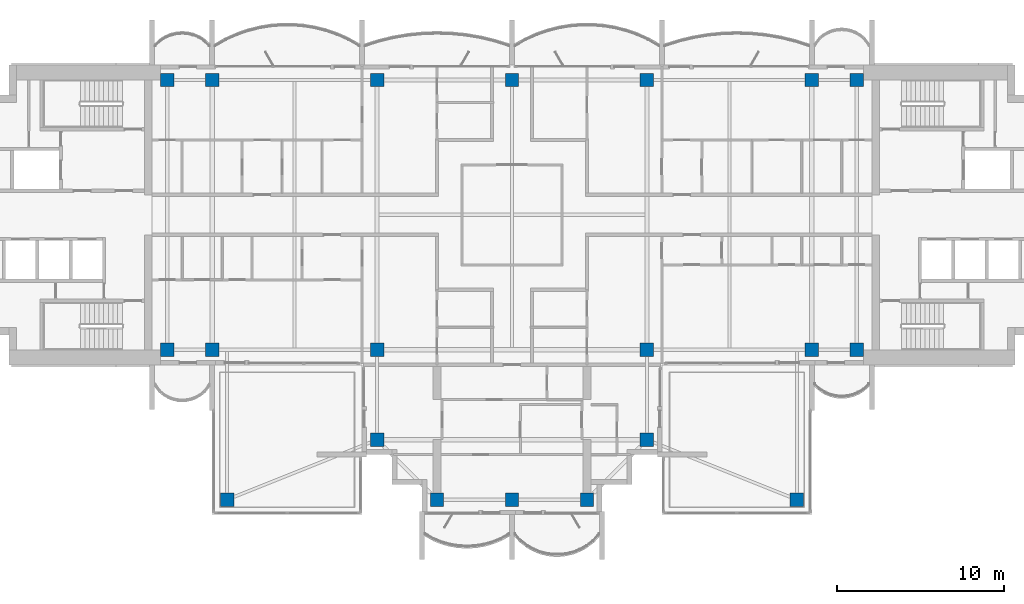
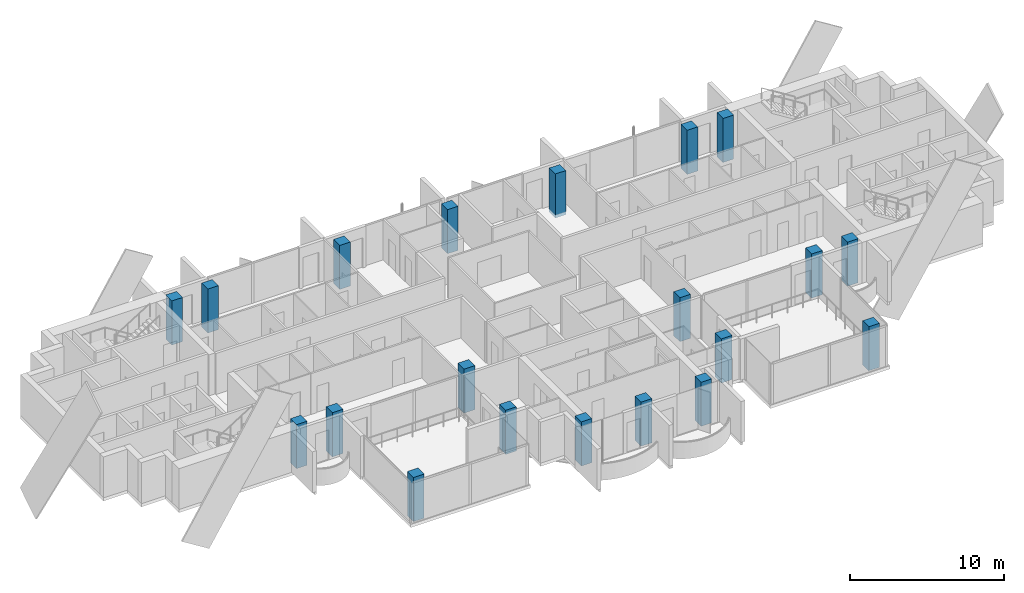
# One storey, part 1 of 16: 20 columns.
"""IFC4 building model written with IfcOpenShell, lengths in metres."""

from ifc_helpers import new_model, si_unit, direction, frame, origin, origin_2d, place, context, subcontext, project, spatial, rectangle, extrude, material, material_profile, profile_set, type_object, element, save


model = new_model("IFC4")

# Units and contexts
model_context = context("Model", 3, precision=1e-05, world=origin(), true_north=direction((0.0, 1.0)))
body_context = subcontext(model_context, "Body", "Model", "MODEL_VIEW")
ifc_project = project(units=[si_unit("LENGTHUNIT", "METRE"), si_unit("AREAUNIT", "SQUARE_METRE"), si_unit("VOLUMEUNIT", "CUBIC_METRE"), si_unit("PLANEANGLEUNIT", "RADIAN"), si_unit("MASSUNIT", "GRAM", prefix="KILO")], contexts=[model_context])

# Site, building, storey
site_placement = place(None, origin())
site = spatial("IfcSite", under=ifc_project, at=site_placement, CompositionType="ELEMENT")
building_placement = place(site_placement, origin())
building = spatial("IfcBuilding", under=site, at=building_placement, Name="Perihelion Cross Residences", CompositionType="ELEMENT")
storey_placement = place(building_placement, frame((0.0, 0.0, 239.5)))
storey = spatial("IfcBuildingStorey", under=building, at=storey_placement, Name="L60", CompositionType="ELEMENT", Elevation=239.5)

# Columns
ifc_material = material(Name="Concrete C50/60", Category="concrete")
ifc_material_profile = material_profile(ifc_material, rectangle(XDim=0.800048828125, YDim=0.800048828125, at=origin_2d()), Name="RC 800x800")
ifc_profile_set = profile_set([ifc_material_profile], Name="Concrete C50/60")
column_type = type_object("IfcColumnType", Name="Reinforced concrete column 800x800 C50/60", PredefinedType="COLUMN", material=ifc_profile_set)
for number, where, z_axis, x_axis, name in (
    (1, (-20.699951171875, -8.10009765625, -0.25), (0.0, 0.0, 1.0), (1.0, 0.0, 0.0), "Column C017 L60 no. 1"),
    (2, (-20.699951171875, 8.10009765625, -0.25), (0.0, 0.0, 1.0), (1.0, 0.0, 0.0), "Column C010 L60 no. 1"),
    (3, (-18.0, -8.10009765625, -0.25), (0.0, 0.0, 1.0), (1.0, 0.0, 0.0), "Column C018 L60 no. 1"),
    (4, (-18.0, 8.10009765625, -0.25), (0.0, 0.0, 1.0), (1.0, 0.0, 0.0), "Column C011 L60 no. 1"),
    (5, (-8.10009765625, -13.5, -0.25), (0.0, 0.0, 1.0), (1.0, 0.0, 0.0), "Column C025 L60 no. 1"),
    (6, (-8.10009765625, -8.10009765625, -0.25), (0.0, 0.0, 1.0), (1.0, 0.0, 0.0), "Column C019 L60 no. 1"),
    (7, (-8.10009765625, 8.10009765625, -0.25), (0.0, 0.0, 1.0), (1.0, 0.0, 0.0), "Column C012 L60 no. 1"),
    (8, (-4.5, -17.10009765625, -0.25), (0.0, 0.0, 1.0), (1.0, 0.0, 0.0), "Column C032 L60 no. 1"),
    (9, (0.0, -17.10009765625, -0.25), (0.0, 0.0, 1.0), (1.0, 0.0, 0.0), "Column C033 L60 no. 1"),
    (10, (0.0, 8.10009765625, -0.25), (0.0, 0.0, 1.0), (1.0, 0.0, 0.0), "Column C013 L60 no. 1"),
    (11, (4.5, -17.10009765625, -0.25), (0.0, 0.0, 1.0), (1.0, 0.0, 0.0), "Column C034 L60 no. 1"),
    (12, (8.10009765625, -13.5, -0.25), (0.0, 0.0, 1.0), (1.0, 0.0, 0.0), "Column C029 L60 no. 1"),
    (13, (8.10009765625, -8.10009765625, -0.25), (0.0, 0.0, 1.0), (1.0, 0.0, 0.0), "Column C020 L60 no. 1"),
    (14, (8.10009765625, 8.10009765625, -0.25), (0.0, 0.0, 1.0), (1.0, 0.0, 0.0), "Column C014 L60 no. 1"),
    (15, (18.0, -8.10009765625, -0.25), (0.0, 0.0, 1.0), (1.0, 0.0, 0.0), "Column C021 L60 no. 1"),
    (16, (18.0, 8.10009765625, -0.25), (0.0, 0.0, 1.0), (1.0, 0.0, 0.0), "Column C015 L60 no. 1"),
    (17, (20.699951171875, -8.10009765625, -0.25), (0.0, 0.0, 1.0), (1.0, 0.0, 0.0), "Column C022 L60 no. 1"),
    (18, (20.699951171875, 8.10009765625, -0.25), (0.0, 0.0, 1.0), (1.0, 0.0, 0.0), "Column C016 L60 no. 1"),
    (19, (-17.10009765625, -17.10009765625, -0.25), (0.0, 0.0, 1.0), (1.0, 0.0, 0.0), "Column C030 L60 no. 1"),
    (20, (17.10009765625, -17.10009765625, -0.25), (0.0, 0.0, 1.0), (1.0, 0.0, 0.0), "Column C036 L60 no. 1"),
):
    element("IfcColumn", number, at=place(storey_placement, frame(where, z_axis=z_axis, x_axis=x_axis)), inside=storey, type_object=column_type, Name=name, PredefinedType="COLUMN", context=body_context, shape_type="SweptSolid", body=[
        extrude(rectangle(XDim=0.800048828125, YDim=0.800048828125, at=origin_2d()), origin(), (0.0, 0.0, 1.0), 3.5),
    ])

save(model, "model.ifc")
